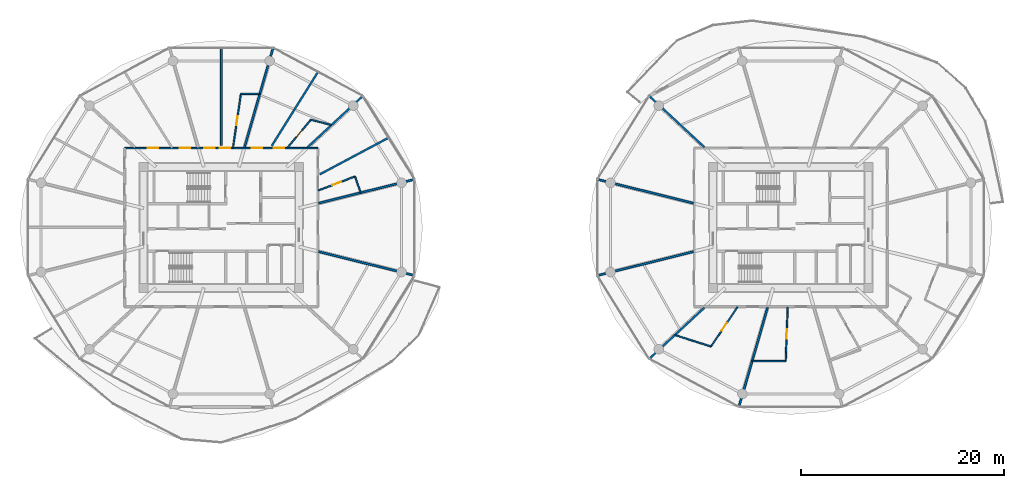
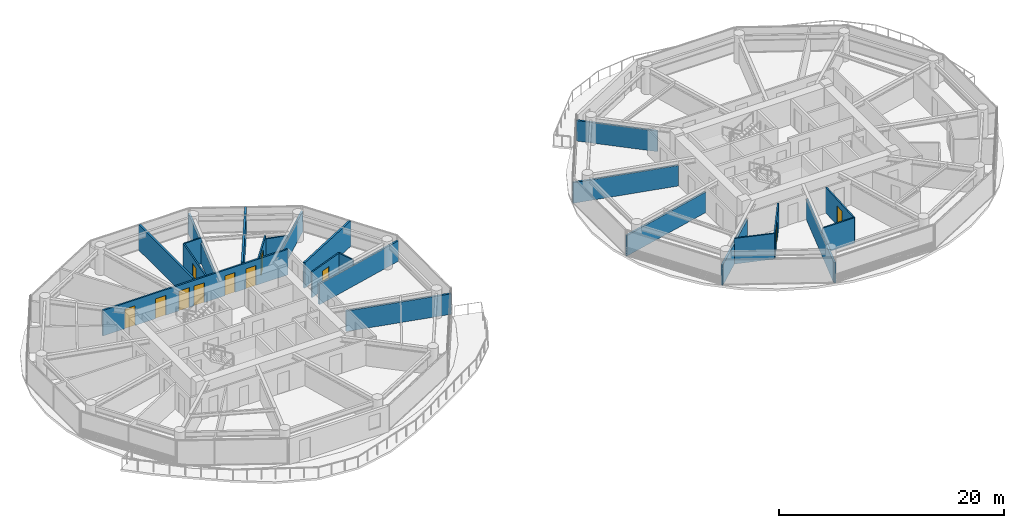
# One storey, part 17 of 26: 23 walls, 11 doors, 11 openings.
"""IFC4 building model written with IfcOpenShell, lengths in metres."""

from ifc_helpers import new_model, si_unit, direction, frame, frame_2d, origin, place, context, subcontext, project, spatial, rectangle, extrude, source, transform, mapped, material, layer, layer_set, type_object, type_shapes, element, fill, save


model = new_model("IFC4")

# Units and contexts
model_context = context("Model", 3, precision=1e-05, world=origin(), true_north=direction((0.0, 1.0)))
body_context = subcontext(model_context, "Body", "Model", "MODEL_VIEW")
ifc_project = project(units=[si_unit("LENGTHUNIT", "METRE"), si_unit("AREAUNIT", "SQUARE_METRE"), si_unit("VOLUMEUNIT", "CUBIC_METRE"), si_unit("PLANEANGLEUNIT", "RADIAN"), si_unit("MASSUNIT", "GRAM", prefix="KILO")], contexts=[model_context])

# Site, building, storey
site_placement = place(None, origin())
site = spatial("IfcSite", under=ifc_project, at=site_placement, CompositionType="ELEMENT")
building_placement = place(site_placement, origin())
building = spatial("IfcBuilding", under=site, at=building_placement, Name="Norrkilde Senior Care Towers", CompositionType="ELEMENT")
storey_placement = place(building_placement, frame((0.0, 0.0, 49.050048828125)))
storey = spatial("IfcBuildingStorey", under=building, at=storey_placement, Name="L14", CompositionType="ELEMENT", Elevation=49.050048828125)

# Wall, openings, doors
ifc_material_1 = material(Name="Gypsum Acoustic Board")
ifc_layer_1 = layer(ifc_material_1, 0.1650390625)
ifc_layer_set_1 = layer_set([ifc_layer_1], Name="Gypsum Acoustic Board")
wall_type_1 = type_object("IfcWallType", Name="Corridor Rated Partition 165", PredefinedType="PARTITIONING", material=ifc_layer_set_1)
shared_shape_1 = source(origin(), body_context, "Body", "SweptSolid", [
    extrude(rectangle(XDim=19.0, YDim=0.1650390625, at=frame_2d((9.5, 0.0))), origin(), (0.0, 0.0, 1.0), 2.77490234375),
])
type_shapes(wall_type_1, [shared_shape_1])
wall_1_placement = place(storey_placement, frame((-37.5, 7.800048828125, 0.0), z_axis=(0.0, 0.0, 1.0), x_axis=(1.0, 0.0, 0.0)))
wall_1 = element("IfcWall", 1, at=wall_1_placement, inside=storey, type_object=wall_type_1, Name="WL-INT-L14-W-CRW-N-0", PredefinedType="PARTITIONING", context=body_context, shape_type="MappedRepresentation", body=[
    mapped(shared_shape_1, transform((0.0, 0.0, 0.0), x_axis=(1.0, 0.0, 0.0), y_axis=(0.0, 1.0, 0.0), z_axis=(0.0, 0.0, 1.0), scale=1.0)),
])
opening_1_placement = place(wall_1_placement, frame((14.6533203125, 0.0, 0.0)))
opening_1 = element("IfcOpeningElement", 2, at=opening_1_placement, cuts=wall_1, Name="Opening D-06", PredefinedType="OPENING", context=body_context, shape_type="SweptSolid", body=[
    extrude(rectangle(XDim=1.050048828125, YDim=2.14990234375, at=frame_2d((0.52490234375, 1.074951171875))), frame((0.0, 0.092529296875, 0.0), z_axis=(0.0, -1.0, 0.0), x_axis=(1.0, 0.0, 0.0)), (0.0, 0.0, 1.0), 0.18505859375),
])
opening_2_placement = place(wall_1_placement, frame((12.499755859375, 0.0, 0.0)))
opening_2 = element("IfcOpeningElement", 3, at=opening_2_placement, cuts=wall_1, Name="Opening D-06", PredefinedType="OPENING", context=body_context, shape_type="SweptSolid", body=[
    extrude(rectangle(XDim=1.050048828125, YDim=2.14990234375, at=frame_2d((0.52490234375, 1.074951171875))), frame((0.0, 0.092529296875, 0.0), z_axis=(0.0, -1.0, 0.0), x_axis=(1.0, 0.0, 0.0)), (0.0, 0.0, 1.0), 0.18505859375),
])
opening_3_placement = place(wall_1_placement, frame((9.351806640625, 0.0, 0.0)))
opening_3 = element("IfcOpeningElement", 4, at=opening_3_placement, cuts=wall_1, Name="Opening D-06", PredefinedType="OPENING", context=body_context, shape_type="SweptSolid", body=[
    extrude(rectangle(XDim=1.050048828125, YDim=2.14990234375, at=frame_2d((0.52490234375, 1.074951171875))), frame((0.0, 0.092529296875, 0.0), z_axis=(0.0, -1.0, 0.0), x_axis=(1.0, 0.0, 0.0)), (0.0, 0.0, 1.0), 0.18505859375),
])
opening_4_placement = place(wall_1_placement, frame((7.806396484375, 0.0, 0.0)))
opening_4 = element("IfcOpeningElement", 5, at=opening_4_placement, cuts=wall_1, Name="Opening D-06", PredefinedType="OPENING", context=body_context, shape_type="SweptSolid", body=[
    extrude(rectangle(XDim=1.050048828125, YDim=2.14990234375, at=frame_2d((0.52490234375, 1.074951171875))), frame((0.0, 0.092529296875, 0.0), z_axis=(0.0, -1.0, 0.0), x_axis=(1.0, 0.0, 0.0)), (0.0, 0.0, 1.0), 0.18505859375),
])
opening_5_placement = place(wall_1_placement, frame((5.396240234375, 0.0, 0.0)))
opening_5 = element("IfcOpeningElement", 6, at=opening_5_placement, cuts=wall_1, Name="Opening D-06", PredefinedType="OPENING", context=body_context, shape_type="SweptSolid", body=[
    extrude(rectangle(XDim=1.050048828125, YDim=2.14990234375, at=frame_2d((0.52490234375, 1.074951171875))), frame((0.0, 0.092529296875, 0.0), z_axis=(0.0, -1.0, 0.0), x_axis=(1.0, 0.0, 0.0)), (0.0, 0.0, 1.0), 0.18505859375),
])
opening_6_placement = place(wall_1_placement, frame((2.2509765625, 0.0, 0.0)))
opening_6 = element("IfcOpeningElement", 7, at=opening_6_placement, cuts=wall_1, Name="Opening D-06", PredefinedType="OPENING", context=body_context, shape_type="SweptSolid", body=[
    extrude(rectangle(XDim=1.050048828125, YDim=2.14990234375, at=frame_2d((0.52490234375, 1.074951171875))), frame((0.0, 0.092529296875, 0.0), z_axis=(0.0, -1.0, 0.0), x_axis=(1.0, 0.0, 0.0)), (0.0, 0.0, 1.0), 0.18505859375),
])
ifc_material_2 = material(Name="Nordic Ash Timber", Category="wood")
door_type_1 = type_object("IfcDoorType", Name="Apartment Entrance Fire Door 1050x2150", OperationType="NOTDEFINED", PredefinedType="DOOR", material=ifc_material_2)
shared_shape_2 = source(origin(), body_context, "Body", "SweptSolid", [
    extrude(rectangle(XDim=1.050048828125, YDim=2.14990234375, at=frame_2d((0.52490234375, 1.074951171875))), frame((0.0, 0.02490234375, 0.0), z_axis=(0.0, -1.0, 0.0), x_axis=(1.0, 0.0, 0.0)), (0.0, 0.0, 1.0), 0.050048828125),
])
type_shapes(door_type_1, [shared_shape_2])
door_1_placement = place(opening_1_placement, frame((1.050048828125, 0.0, 0.0), z_axis=(0.0, 0.0, 1.0), x_axis=(-1.0, 0.0, 0.0)))
door_1 = element("IfcDoor", 8, at=door_1_placement, inside=storey, type_object=door_type_1, Name="L14 Care Suite 1401A Entrance Door", OperationType="SINGLE_SWING_RIGHT", OverallHeight=2.14990234375, OverallWidth=1.050048828125, PredefinedType="DOOR", context=body_context, shape_type="MappedRepresentation", body=[
    mapped(shared_shape_2, transform((0.0, 0.0, 0.0), x_axis=(1.0, 0.0, 0.0), y_axis=(0.0, 1.0, 0.0), z_axis=(0.0, 0.0, 1.0), scale=1.0)),
])
fill(opening_1, door_1)
door_2_placement = place(opening_2_placement, frame((1.050048828125, 0.0, 0.0), z_axis=(0.0, 0.0, 1.0), x_axis=(-1.0, 0.0, 0.0)))
door_2 = element("IfcDoor", 9, at=door_2_placement, inside=storey, type_object=door_type_1, Name="L14 Therapy Day Lounge 01 Door", OperationType="SINGLE_SWING_LEFT", OverallHeight=2.14990234375, OverallWidth=1.050048828125, PredefinedType="DOOR", context=body_context, shape_type="MappedRepresentation", body=[
    mapped(shared_shape_2, transform((0.0, 0.0, 0.0), x_axis=(1.0, 0.0, 0.0), y_axis=(0.0, 1.0, 0.0), z_axis=(0.0, 0.0, 1.0), scale=1.0)),
])
fill(opening_2, door_2)
door_3_placement = place(opening_3_placement, frame((1.050048828125, 0.0, 0.0), z_axis=(0.0, 0.0, 1.0), x_axis=(-1.0, 0.0, 0.0)))
door_3 = element("IfcDoor", 10, at=door_3_placement, inside=storey, type_object=door_type_1, Name="L14 Care Suite 1402A Entrance Door", OperationType="SINGLE_SWING_LEFT", OverallHeight=2.14990234375, OverallWidth=1.050048828125, PredefinedType="DOOR", context=body_context, shape_type="MappedRepresentation", body=[
    mapped(shared_shape_2, transform((0.0, 0.0, 0.0), x_axis=(1.0, 0.0, 0.0), y_axis=(0.0, 1.0, 0.0), z_axis=(0.0, 0.0, 1.0), scale=1.0)),
])
fill(opening_3, door_3)
door_4_placement = place(opening_4_placement, frame((1.050048828125, 0.0, 0.0), z_axis=(0.0, 0.0, 1.0), x_axis=(-1.0, 0.0, 0.0)))
door_4 = element("IfcDoor", 11, at=door_4_placement, inside=storey, type_object=door_type_1, Name="L14 Therapy Day Lounge 02 Door", OperationType="SINGLE_SWING_RIGHT", OverallHeight=2.14990234375, OverallWidth=1.050048828125, PredefinedType="DOOR", context=body_context, shape_type="MappedRepresentation", body=[
    mapped(shared_shape_2, transform((0.0, 0.0, 0.0), x_axis=(1.0, 0.0, 0.0), y_axis=(0.0, 1.0, 0.0), z_axis=(0.0, 0.0, 1.0), scale=1.0)),
])
fill(opening_4, door_4)
door_5_placement = place(opening_5_placement, frame((1.050048828125, 0.0, 0.0), z_axis=(0.0, 0.0, 1.0), x_axis=(-1.0, 0.0, 0.0)))
door_5 = element("IfcDoor", 12, at=door_5_placement, inside=storey, type_object=door_type_1, Name="L14 Physiotherapy Clinic 3A Door", OperationType="SINGLE_SWING_RIGHT", OverallHeight=2.14990234375, OverallWidth=1.050048828125, PredefinedType="DOOR", context=body_context, shape_type="MappedRepresentation", body=[
    mapped(shared_shape_2, transform((0.0, 0.0, 0.0), x_axis=(1.0, 0.0, 0.0), y_axis=(0.0, 1.0, 0.0), z_axis=(0.0, 0.0, 1.0), scale=1.0)),
])
fill(opening_5, door_5)
door_6_placement = place(opening_6_placement, frame((1.050048828125, 0.0, 0.0), z_axis=(0.0, 0.0, 1.0), x_axis=(-1.0, 0.0, 0.0)))
door_6 = element("IfcDoor", 13, at=door_6_placement, inside=storey, type_object=door_type_1, Name="L14 Assessment Clinic 3B Door", OperationType="SINGLE_SWING_LEFT", OverallHeight=2.14990234375, OverallWidth=1.050048828125, PredefinedType="DOOR", context=body_context, shape_type="MappedRepresentation", body=[
    mapped(shared_shape_2, transform((0.0, 0.0, 0.0), x_axis=(1.0, 0.0, 0.0), y_axis=(0.0, 1.0, 0.0), z_axis=(0.0, 0.0, 1.0), scale=1.0)),
])
fill(opening_6, door_6)

# Walls
ifc_layer_2 = layer(ifc_material_1, 0.18994140625)
ifc_layer_set_2 = layer_set([ifc_layer_2], Name="Gypsum Acoustic Board")
wall_type_2 = type_object("IfcWallType", Name="Unit Demising Acoustic Wall 190", PredefinedType="PARTITIONING", material=ifc_layer_set_2)
shared_shape_3 = source(origin(), body_context, "Body", "SweptSolid", [
    extrude(rectangle(XDim=7.4345703125, YDim=0.18994140625, at=frame_2d((3.71728515625, 0.0))), origin(), (0.0, 0.0, 1.0), 2.224853515625),
])
for number, where, z_axis, x_axis, name in (
    (14, (-19.51708984375, 7.8798828125, 0.0), (0.0, 0.0, 1.0), (0.732651956848, 0.680603489652, 0.0), "WL-INT-L14-W-DEM-01-0"),
    (15, (19.51708984375, 7.8798828125, 0.0), (0.0, 0.0, 1.0), (-0.732651956848, 0.680603489652, 0.0), "WL-INT-L14-E-DEM-04-0"),
    (16, (19.51708984375, -7.8798828125, 0.0), (0.0, 0.0, 1.0), (-0.732651956848, -0.680603489652, 0.0), "WL-INT-L14-E-DEM-07-0"),
):
    element("IfcWall", number, at=place(storey_placement, frame(where, z_axis=z_axis, x_axis=x_axis)), inside=storey, type_object=wall_type_2, Name=name, PredefinedType="PARTITIONING", context=body_context, shape_type="MappedRepresentation", body=[
        mapped(shared_shape_3, transform((0.0, 0.0, 0.0), x_axis=(1.0, 0.0, 0.0), y_axis=(0.0, 1.0, 0.0), z_axis=(0.0, 0.0, 1.0), scale=1.0)),
    ])
shared_shape_4 = source(origin(), body_context, "Body", "SweptSolid", [
    extrude(rectangle(XDim=10.196044921875, YDim=0.18994140625, at=frame_2d((5.09814453125, 0.0))), origin(), (0.0, 0.0, 1.0), 2.224853515625),
])
for number, where, z_axis, x_axis, name in (
    (17, (-25.72705078125, 7.8798828125, 0.0), (0.0, 0.0, 1.0), (0.277136420347, 0.960830580549, 0.0), "WL-INT-L14-W-DEM-02-0"),
    (18, (25.72705078125, -7.8798828125, 0.0), (0.0, 0.0, 1.0), (-0.277136420347, -0.960830580549, 0.0), "WL-INT-L14-E-DEM-08-0"),
):
    element("IfcWall", number, at=place(storey_placement, frame(where, z_axis=z_axis, x_axis=x_axis)), inside=storey, type_object=wall_type_2, Name=name, PredefinedType="PARTITIONING", context=body_context, shape_type="MappedRepresentation", body=[
        mapped(shared_shape_4, transform((0.0, 0.0, 0.0), x_axis=(1.0, 0.0, 0.0), y_axis=(0.0, 1.0, 0.0), z_axis=(0.0, 0.0, 1.0), scale=1.0)),
    ])
shared_shape_5 = source(origin(), body_context, "Body", "SweptSolid", [
    extrude(rectangle(XDim=8.59814453125, YDim=0.18994140625, at=frame_2d((4.299072265625, 0.0))), origin(), (0.0, 0.0, 1.0), 2.77490234375),
])
wall_2_placement = place(storey_placement, frame((-23.04296875, 8.017333984375, 0.0), z_axis=(0.0, 0.0, 1.0), x_axis=(0.530039776395, 0.847972779893, 0.0)))
element("IfcWall", 19, at=wall_2_placement, inside=storey, type_object=wall_type_2, Name="WL-INT-L14-W-CMID-01", PredefinedType="PARTITIONING", context=body_context, shape_type="MappedRepresentation", body=[
    mapped(shared_shape_5, transform((0.0, 0.0, 0.0), x_axis=(1.0, 0.0, 0.0), y_axis=(0.0, 1.0, 0.0), z_axis=(0.0, 0.0, 1.0), scale=1.0)),
])

# Wall, opening, door
ifc_layer_3 = layer(ifc_material_1, 0.139892578125)
ifc_layer_set_3 = layer_set([ifc_layer_3], Name="Gypsum Acoustic Board")
wall_type_3 = type_object("IfcWallType", Name="En-suite Wet Room Wall 140", PredefinedType="PARTITIONING", material=ifc_layer_set_3)
shared_shape_6 = source(origin(), body_context, "Body", "SweptSolid", [
    extrude(rectangle(XDim=3.594482421875, YDim=0.139892578125, at=frame_2d((1.79736328125, 0.0))), origin(), (0.0, 0.0, 1.0), 2.77490234375),
])
wall_3_placement = place(storey_placement, frame((-21.49560546875, 7.830078125, 0.0), z_axis=(0.0, 0.0, 1.0), x_axis=(0.639001147083, 0.769205781326, 0.0)))
wall_3 = element("IfcWall", 20, at=wall_3_placement, inside=storey, type_object=wall_type_3, Name="WL-INT-L14-W-ES-01A", PredefinedType="PARTITIONING", context=body_context, shape_type="MappedRepresentation", body=[
    mapped(shared_shape_6, transform((0.0, 0.0, 0.0), x_axis=(1.0, 0.0, 0.0), y_axis=(0.0, 1.0, 0.0), z_axis=(0.0, 0.0, 1.0), scale=1.0)),
])
opening_7_placement = place(wall_3_placement, frame((1.33740234375, 0.0, 0.0)))
opening_7 = element("IfcOpeningElement", 21, at=opening_7_placement, cuts=wall_3, Name="Opening D-08", PredefinedType="OPENING", context=body_context, shape_type="SweptSolid", body=[
    extrude(rectangle(XDim=0.919921875, YDim=2.10009765625, at=frame_2d((0.4599609375, 1.050048828125))), frame((0.0, 0.079833984375, 0.0), z_axis=(0.0, -1.0, 0.0), x_axis=(1.0, 0.0, 0.0)), (0.0, 0.0, 1.0), 0.159912109375),
])
door_type_2 = type_object("IfcDoorType", Name="Accessible Wet Room Door 920x2100", OperationType="NOTDEFINED", PredefinedType="DOOR", material=ifc_material_2)
shared_shape_7 = source(origin(), body_context, "Body", "SweptSolid", [
    extrude(rectangle(XDim=0.919921875, YDim=2.10009765625, at=frame_2d((0.4599609375, 1.050048828125))), frame((0.0, 0.02490234375, 0.0), z_axis=(0.0, -1.0, 0.0), x_axis=(1.0, 0.0, 0.0)), (0.0, 0.0, 1.0), 0.050048828125),
])
type_shapes(door_type_2, [shared_shape_7])
door_7_placement = place(opening_7_placement, origin())
door_7 = element("IfcDoor", 22, at=door_7_placement, inside=storey, type_object=door_type_2, Name="L14 Care Suite 1401A Bathroom Door", OperationType="SINGLE_SWING_LEFT", OverallHeight=2.10009765625, OverallWidth=0.919921875, PredefinedType="DOOR", context=body_context, shape_type="MappedRepresentation", body=[
    mapped(shared_shape_7, transform((0.0, 0.0, 0.0), x_axis=(1.0, 0.0, 0.0), y_axis=(0.0, 1.0, 0.0), z_axis=(0.0, 0.0, 1.0), scale=1.0)),
])
fill(opening_7, door_7)

# Walls
shared_shape_8 = source(origin(), body_context, "Body", "SweptSolid", [
    extrude(rectangle(XDim=9.737060546875, YDim=0.18994140625, at=frame_2d((4.86865234375, 0.0))), origin(), (0.0, 0.0, 1.0), 2.224853515625),
])
for number, where, z_axis, x_axis, name in (
    (23, (-18.419921875, -2.384521484375, 0.0), (0.0, 0.0, 1.0), (0.970392716238, -0.241532557375, 0.0), "WL-INT-L14-W-DEM-11-0"),
    (24, (-18.419921875, 2.384521484375, 0.0), (0.0, 0.0, 1.0), (0.970392716238, 0.241532557375, 0.0), "WL-INT-L14-W-DEM-00-0"),
    (25, (18.419921875, 2.384521484375, 0.0), (0.0, 0.0, 1.0), (-0.970392716238, 0.241532557375, 0.0), "WL-INT-L14-E-DEM-05-0"),
    (26, (18.419921875, -2.384521484375, 0.0), (0.0, 0.0, 1.0), (-0.970392716238, -0.241532557375, 0.0), "WL-INT-L14-E-DEM-06-0"),
):
    element("IfcWall", number, at=place(storey_placement, frame(where, z_axis=z_axis, x_axis=x_axis)), inside=storey, type_object=wall_type_2, Name=name, PredefinedType="PARTITIONING", context=body_context, shape_type="MappedRepresentation", body=[
        mapped(shared_shape_8, transform((0.0, 0.0, 0.0), x_axis=(1.0, 0.0, 0.0), y_axis=(0.0, 1.0, 0.0), z_axis=(0.0, 0.0, 1.0), scale=1.0)),
    ])
shared_shape_9 = source(origin(), body_context, "Body", "SweptSolid", [
    extrude(rectangle(XDim=7.6767578125, YDim=0.18994140625, at=frame_2d((3.83837890625, 0.0))), origin(), (0.0, 0.0, 1.0), 2.77490234375),
])
wall_4_placement = place(storey_placement, frame((-18.296875, 5.23095703125, 0.0), z_axis=(0.0, 0.0, 1.0), x_axis=(0.882725057546, 0.469889851753, 0.0)))
element("IfcWall", 27, at=wall_4_placement, inside=storey, type_object=wall_type_2, Name="WL-INT-L14-W-CMID-00", PredefinedType="PARTITIONING", context=body_context, shape_type="MappedRepresentation", body=[
    mapped(shared_shape_9, transform((0.0, 0.0, 0.0), x_axis=(1.0, 0.0, 0.0), y_axis=(0.0, 1.0, 0.0), z_axis=(0.0, 0.0, 1.0), scale=1.0)),
])

# Wall, opening, door
shared_shape_10 = source(origin(), body_context, "Body", "SweptSolid", [
    extrude(rectangle(XDim=3.8740234375, YDim=0.139892578125, at=frame_2d((1.93701171875, 0.0))), origin(), (0.0, 0.0, 1.0), 2.77490234375),
])
wall_5_placement = place(storey_placement, frame((-18.469970703125, 3.631591796875, 0.0), z_axis=(0.0, 0.0, 1.0), x_axis=(0.934461775659, 0.35606346321, 0.0)))
wall_5 = element("IfcWall", 28, at=wall_5_placement, inside=storey, type_object=wall_type_3, Name="WL-INT-L14-W-ES-00A", PredefinedType="PARTITIONING", context=body_context, shape_type="MappedRepresentation", body=[
    mapped(shared_shape_10, transform((0.0, 0.0, 0.0), x_axis=(1.0, 0.0, 0.0), y_axis=(0.0, 1.0, 0.0), z_axis=(0.0, 0.0, 1.0), scale=1.0)),
])
opening_8_placement = place(wall_5_placement, frame((1.47705078125, 0.0, 0.0)))
opening_8 = element("IfcOpeningElement", 29, at=opening_8_placement, cuts=wall_5, Name="Opening D-08", PredefinedType="OPENING", context=body_context, shape_type="SweptSolid", body=[
    extrude(rectangle(XDim=0.919921875, YDim=2.10009765625, at=frame_2d((0.4599609375, 1.050048828125))), frame((0.0, 0.079833984375, 0.0), z_axis=(0.0, -1.0, 0.0), x_axis=(1.0, 0.0, 0.0)), (0.0, 0.0, 1.0), 0.159912109375),
])
door_8_placement = place(opening_8_placement, origin())
door_8 = element("IfcDoor", 30, at=door_8_placement, inside=storey, type_object=door_type_2, Name="L14 Care Suite 1400A Bathroom Door", OperationType="SINGLE_SWING_RIGHT", OverallHeight=2.10009765625, OverallWidth=0.919921875, PredefinedType="DOOR", context=body_context, shape_type="MappedRepresentation", body=[
    mapped(shared_shape_7, transform((0.0, 0.0, 0.0), x_axis=(1.0, 0.0, 0.0), y_axis=(0.0, 1.0, 0.0), z_axis=(0.0, 0.0, 1.0), scale=1.0)),
])
fill(opening_8, door_8)

# Walls
shared_shape_11 = source(origin(), body_context, "Body", "SweptSolid", [
    extrude(rectangle(XDim=1.67578125, YDim=0.139892578125, at=frame_2d((0.837890625, 0.0))), origin(), (0.0, 0.0, 1.0), 2.77490234375),
])
wall_6_placement = place(storey_placement, frame((-14.849853515625, 5.010986328125, 0.0), z_axis=(0.0, 0.0, 1.0), x_axis=(0.327785970556, -0.944752008469, 0.0)))
element("IfcWall", 31, at=wall_6_placement, inside=storey, type_object=wall_type_3, Name="WL-INT-L14-W-EF-00A", PredefinedType="PARTITIONING", context=body_context, shape_type="MappedRepresentation", body=[
    mapped(shared_shape_11, transform((0.0, 0.0, 0.0), x_axis=(1.0, 0.0, 0.0), y_axis=(0.0, 1.0, 0.0), z_axis=(0.0, 0.0, 1.0), scale=1.0)),
])
shared_shape_12 = source(origin(), body_context, "Body", "SweptSolid", [
    extrude(rectangle(XDim=2.06201171875, YDim=0.139892578125, at=frame_2d((1.031005859375, 0.0))), origin(), (0.0, 0.0, 1.0), 2.4150390625),
])
wall_7_placement = place(storey_placement, frame((-19.19873046875, 10.594970703125, 0.0), z_axis=(0.0, 0.0, 1.0), x_axis=(0.968776253543, -0.247936626121, 0.0)))
element("IfcWall", 32, at=wall_7_placement, inside=storey, type_object=wall_type_3, Name="WL-INT-L14-W-EF-01A", PredefinedType="PARTITIONING", context=body_context, shape_type="MappedRepresentation", body=[
    mapped(shared_shape_12, transform((0.0, 0.0, 0.0), x_axis=(1.0, 0.0, 0.0), y_axis=(0.0, 1.0, 0.0), z_axis=(0.0, 0.0, 1.0), scale=1.0)),
])
shared_shape_13 = source(origin(), body_context, "Body", "SweptSolid", [
    extrude(rectangle(XDim=9.6005859375, YDim=0.18994140625, at=frame_2d((4.80029296875, 0.0))), origin(), (0.0, 0.0, 1.0), 2.77490234375),
])
type_shapes(wall_type_2, [shared_shape_3, shared_shape_4, shared_shape_5, shared_shape_8, shared_shape_9, shared_shape_13])
wall_8_placement = place(storey_placement, frame((-28.0, 8.075927734375, 0.0), z_axis=(0.0, 0.0, 1.0), x_axis=(0.0, 1.0, 0.0)))
element("IfcWall", 33, at=wall_8_placement, inside=storey, type_object=wall_type_2, Name="WL-INT-L14-W-CMID-02", PredefinedType="PARTITIONING", context=body_context, shape_type="MappedRepresentation", body=[
    mapped(shared_shape_13, transform((0.0, 0.0, 0.0), x_axis=(1.0, 0.0, 0.0), y_axis=(0.0, 1.0, 0.0), z_axis=(0.0, 0.0, 1.0), scale=1.0)),
])

# Wall, opening, door
shared_shape_14 = source(origin(), body_context, "Body", "SweptSolid", [
    extrude(rectangle(XDim=5.36962890625, YDim=0.139892578125, at=frame_2d((2.684814453125, 0.0))), origin(), (0.0, 0.0, 1.0), 2.77490234375),
])
wall_9_placement = place(storey_placement, frame((-26.851318359375, 7.830078125, 0.0), z_axis=(0.0, 0.0, 1.0), x_axis=(0.145131397853, 0.989412389935, 0.0)))
wall_9 = element("IfcWall", 34, at=wall_9_placement, inside=storey, type_object=wall_type_3, Name="WL-INT-L14-W-ES-02A", PredefinedType="PARTITIONING", context=body_context, shape_type="MappedRepresentation", body=[
    mapped(shared_shape_14, transform((0.0, 0.0, 0.0), x_axis=(1.0, 0.0, 0.0), y_axis=(0.0, 1.0, 0.0), z_axis=(0.0, 0.0, 1.0), scale=1.0)),
])
opening_9_placement = place(wall_9_placement, frame((2.224853515625, 0.0, 0.0)))
opening_9 = element("IfcOpeningElement", 35, at=opening_9_placement, cuts=wall_9, Name="Opening D-08", PredefinedType="OPENING", context=body_context, shape_type="SweptSolid", body=[
    extrude(rectangle(XDim=0.919921875, YDim=2.10009765625, at=frame_2d((0.4599609375, 1.050048828125))), frame((0.0, 0.079833984375, 0.0), z_axis=(0.0, -1.0, 0.0), x_axis=(1.0, 0.0, 0.0)), (0.0, 0.0, 1.0), 0.159912109375),
])
door_9_placement = place(opening_9_placement, origin())
door_9 = element("IfcDoor", 36, at=door_9_placement, inside=storey, type_object=door_type_2, Name="L14 Care Suite 1402A Bathroom Door", OperationType="SINGLE_SWING_RIGHT", OverallHeight=2.10009765625, OverallWidth=0.919921875, PredefinedType="DOOR", context=body_context, shape_type="MappedRepresentation", body=[
    mapped(shared_shape_7, transform((0.0, 0.0, 0.0), x_axis=(1.0, 0.0, 0.0), y_axis=(0.0, 1.0, 0.0), z_axis=(0.0, 0.0, 1.0), scale=1.0)),
])
fill(opening_9, door_9)

# Wall
shared_shape_15 = source(origin(), body_context, "Body", "SweptSolid", [
    extrude(rectangle(XDim=1.842529296875, YDim=0.139892578125, at=frame_2d((0.92138671875, 0.0))), origin(), (0.0, 0.0, 1.0), 2.77490234375),
])
wall_10_placement = place(storey_placement, frame((-26.072021484375, 13.142822265625, 0.0), z_axis=(0.0, 0.0, 1.0), x_axis=(0.999998937801, -0.001457531246, 0.0)))
element("IfcWall", 37, at=wall_10_placement, inside=storey, type_object=wall_type_3, Name="WL-INT-L14-W-EF-02A", PredefinedType="PARTITIONING", context=body_context, shape_type="MappedRepresentation", body=[
    mapped(shared_shape_15, transform((0.0, 0.0, 0.0), x_axis=(1.0, 0.0, 0.0), y_axis=(0.0, 1.0, 0.0), z_axis=(0.0, 0.0, 1.0), scale=1.0)),
])

# Wall, opening, door
shared_shape_16 = source(origin(), body_context, "Body", "SweptSolid", [
    extrude(rectangle(XDim=4.667724609375, YDim=0.139892578125, at=frame_2d((2.333984375, 0.0))), origin(), (0.0, 0.0, 1.0), 2.77490234375),
])
wall_11_placement = place(storey_placement, frame((22.76025390625, -7.830078125, 0.0), z_axis=(0.0, 0.0, 1.0), x_axis=(-0.55615986029, -0.83107533341, 0.0)))
wall_11 = element("IfcWall", 38, at=wall_11_placement, inside=storey, type_object=wall_type_3, Name="WL-INT-L14-E-ES-07", PredefinedType="PARTITIONING", context=body_context, shape_type="MappedRepresentation", body=[
    mapped(shared_shape_16, transform((0.0, 0.0, 0.0), x_axis=(1.0, 0.0, 0.0), y_axis=(0.0, 1.0, 0.0), z_axis=(0.0, 0.0, 1.0), scale=1.0)),
])
opening_10_placement = place(wall_11_placement, frame((1.873779296875, 0.0, 0.0)))
opening_10 = element("IfcOpeningElement", 39, at=opening_10_placement, cuts=wall_11, Name="Opening D-08", PredefinedType="OPENING", context=body_context, shape_type="SweptSolid", body=[
    extrude(rectangle(XDim=0.919921875, YDim=2.10009765625, at=frame_2d((0.4599609375, 1.050048828125))), frame((0.0, 0.079833984375, 0.0), z_axis=(0.0, -1.0, 0.0), x_axis=(1.0, 0.0, 0.0)), (0.0, 0.0, 1.0), 0.159912109375),
])
door_10_placement = place(opening_10_placement, origin())
door_10 = element("IfcDoor", 40, at=door_10_placement, inside=storey, type_object=door_type_2, Name="L14 Studio 14D Bathroom Door", OperationType="SINGLE_SWING_LEFT", OverallHeight=2.10009765625, OverallWidth=0.919921875, PredefinedType="DOOR", context=body_context, shape_type="MappedRepresentation", body=[
    mapped(shared_shape_7, transform((0.0, 0.0, 0.0), x_axis=(1.0, 0.0, 0.0), y_axis=(0.0, 1.0, 0.0), z_axis=(0.0, 0.0, 1.0), scale=1.0)),
])
fill(opening_10, door_10)

# Wall
shared_shape_17 = source(origin(), body_context, "Body", "SweptSolid", [
    extrude(rectangle(XDim=3.68408203125, YDim=0.139892578125, at=frame_2d((1.842041015625, 0.0))), origin(), (0.0, 0.0, 1.0), 2.77490234375),
])
wall_12_placement = place(storey_placement, frame((20.164306640625, -11.709228515625, 0.0), z_axis=(0.0, 0.0, 1.0), x_axis=(-0.953245538614, 0.302196861518, 0.0)))
element("IfcWall", 41, at=wall_12_placement, inside=storey, type_object=wall_type_3, Name="WL-INT-L14-E-EF-07", PredefinedType="PARTITIONING", context=body_context, shape_type="MappedRepresentation", body=[
    mapped(shared_shape_17, transform((0.0, 0.0, 0.0), x_axis=(1.0, 0.0, 0.0), y_axis=(0.0, 1.0, 0.0), z_axis=(0.0, 0.0, 1.0), scale=1.0)),
])

# Wall, opening, door
shared_shape_18 = source(origin(), body_context, "Body", "SweptSolid", [
    extrude(rectangle(XDim=5.31640625, YDim=0.139892578125, at=frame_2d((2.658203125, 0.0))), origin(), (0.0, 0.0, 1.0), 2.77490234375),
])
wall_13_placement = place(storey_placement, frame((27.707275390625, -7.830078125, 0.0), z_axis=(0.0, 0.0, 1.0), x_axis=(-0.037380226447, -0.999301115115, 0.0)))
wall_13 = element("IfcWall", 42, at=wall_13_placement, inside=storey, type_object=wall_type_3, Name="WL-INT-L14-E-ES-08", PredefinedType="PARTITIONING", context=body_context, shape_type="MappedRepresentation", body=[
    mapped(shared_shape_18, transform((0.0, 0.0, 0.0), x_axis=(1.0, 0.0, 0.0), y_axis=(0.0, 1.0, 0.0), z_axis=(0.0, 0.0, 1.0), scale=1.0)),
])
opening_11_placement = place(wall_13_placement, frame((2.1982421875, 0.0, 0.0)))
opening_11 = element("IfcOpeningElement", 43, at=opening_11_placement, cuts=wall_13, Name="Opening D-08", PredefinedType="OPENING", context=body_context, shape_type="SweptSolid", body=[
    extrude(rectangle(XDim=0.919921875, YDim=2.10009765625, at=frame_2d((0.4599609375, 1.050048828125))), frame((0.0, 0.079833984375, 0.0), z_axis=(0.0, -1.0, 0.0), x_axis=(1.0, 0.0, 0.0)), (0.0, 0.0, 1.0), 0.159912109375),
])
door_11_placement = place(opening_11_placement, origin())
door_11 = element("IfcDoor", 44, at=door_11_placement, inside=storey, type_object=door_type_2, Name="L14 Studio 14E Bathroom Door", OperationType="SINGLE_SWING_RIGHT", OverallHeight=2.10009765625, OverallWidth=0.919921875, PredefinedType="DOOR", context=body_context, shape_type="MappedRepresentation", body=[
    mapped(shared_shape_7, transform((0.0, 0.0, 0.0), x_axis=(1.0, 0.0, 0.0), y_axis=(0.0, 1.0, 0.0), z_axis=(0.0, 0.0, 1.0), scale=1.0)),
])
fill(opening_11, door_11)

# Wall
shared_shape_19 = source(origin(), body_context, "Body", "SweptSolid", [
    extrude(rectangle(XDim=3.279052734375, YDim=0.139892578125, at=frame_2d((1.6396484375, 0.0))), origin(), (0.0, 0.0, 1.0), 2.77490234375),
])
type_shapes(wall_type_3, [shared_shape_6, shared_shape_10, shared_shape_11, shared_shape_12, shared_shape_14, shared_shape_15, shared_shape_16, shared_shape_17, shared_shape_18, shared_shape_19])
wall_14_placement = place(storey_placement, frame((27.508544921875, -13.142822265625, 0.0), z_axis=(0.0, 0.0, 1.0), x_axis=(-0.999999664619, 0.000819000544, 0.0)))
element("IfcWall", 45, at=wall_14_placement, inside=storey, type_object=wall_type_3, Name="WL-INT-L14-E-EF-08", PredefinedType="PARTITIONING", context=body_context, shape_type="MappedRepresentation", body=[
    mapped(shared_shape_19, transform((0.0, 0.0, 0.0), x_axis=(1.0, 0.0, 0.0), y_axis=(0.0, 1.0, 0.0), z_axis=(0.0, 0.0, 1.0), scale=1.0)),
])

save(model, "model.ifc")
